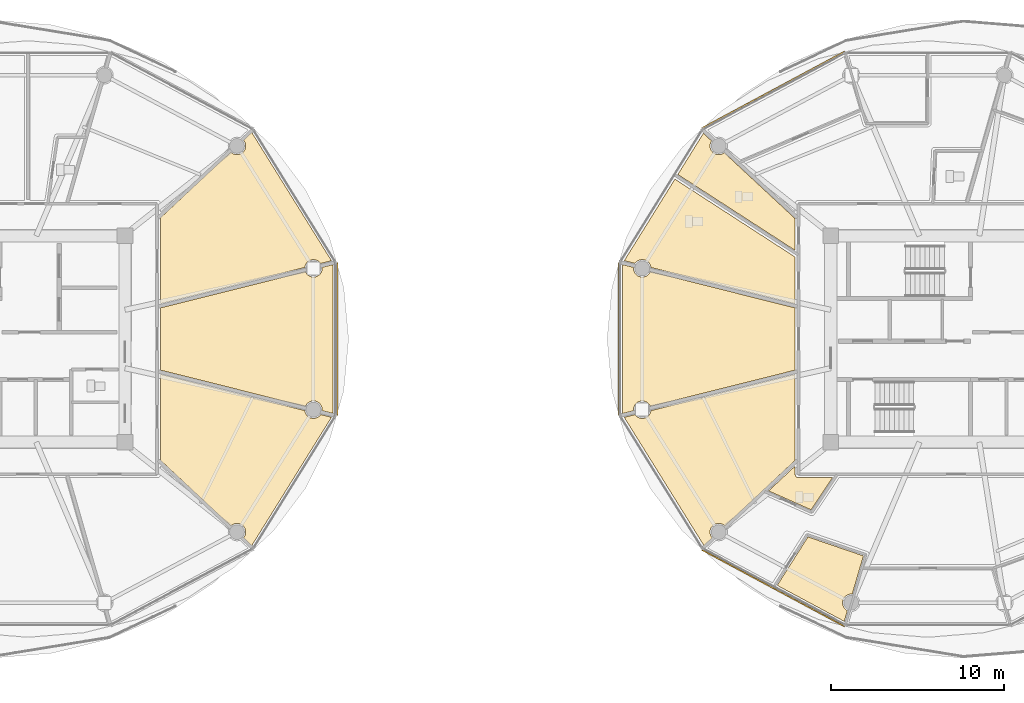
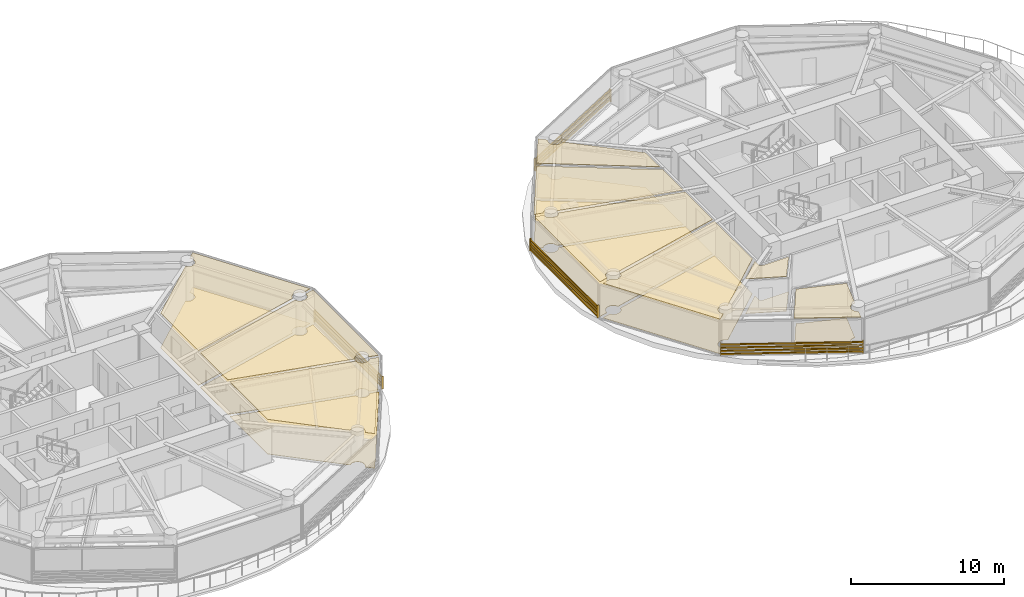
# One storey, part 25 of 32: 18 coverings, 4 shading devices.
"""IFC4 building model written with IfcOpenShell, lengths in metres."""

from ifc_helpers import new_model, si_unit, direction, frame, origin, origin_2d, place, context, subcontext, project, spatial, polyline, rectangle, outline, extrude, source, transform, mapped, material, layer, layer_set, type_object, type_shapes, element, save


model = new_model("IFC4")

# Units and contexts
model_context = context("Model", 3, precision=1e-05, world=origin(), true_north=direction((0.0, 1.0)))
body_context = subcontext(model_context, "Body", "Model", "MODEL_VIEW")
ifc_project = project(units=[si_unit("LENGTHUNIT", "METRE"), si_unit("AREAUNIT", "SQUARE_METRE"), si_unit("VOLUMEUNIT", "CUBIC_METRE"), si_unit("PLANEANGLEUNIT", "RADIAN"), si_unit("MASSUNIT", "GRAM", prefix="KILO")], contexts=[model_context])

# Site, building, storey
site_placement = place(None, origin())
site = spatial("IfcSite", under=ifc_project, at=site_placement, CompositionType="ELEMENT")
building_placement = place(site_placement, origin())
building = spatial("IfcBuilding", under=site, at=building_placement, Name="Norrkilde Senior Care Towers", CompositionType="ELEMENT")
storey_placement = place(building_placement, frame((0.0, 0.0, 77.949951171875)))
storey = spatial("IfcBuildingStorey", under=building, at=storey_placement, Name="L23", CompositionType="ELEMENT", Elevation=77.949951171875)

# Coverings
ifc_material_1 = material(Name="Nordic Ash Timber", Category="wood")
ifc_layer_1 = layer(ifc_material_1, 0.044921875)
ifc_layer_set_1 = layer_set([ifc_layer_1], Name="Nordic Ash Timber")
covering_type_1 = type_object("IfcCoveringType", Name="Acoustic Ash Timber Slatted Ceiling 45", PredefinedType="CEILING", material=ifc_layer_set_1)
covering_1_placement = place(storey_placement, frame((0.0, 0.0, 2.7451171875)))
element("IfcCovering", 1, at=covering_1_placement, inside=storey, type_object=covering_type_1, Name="L23 Suspended Ceiling 0213", PredefinedType="CEILING", context=body_context, shape_type="SweptSolid", body=[
    extrude(outline(polyline([(-13.0419921875, -11.918701171875), (-13.51953125, -11.4716796875), (-13.45654296875, -11.389404296875), (-13.406005859375, -11.267578125), (-13.388916015625, -11.136962890625), (-13.406005859375, -11.00634765625), (-13.45654296875, -10.884521484375), (-13.53662109375, -10.77978515625), (-13.641357421875, -10.69970703125), (-13.76318359375, -10.649169921875), (-13.893798828125, -10.6318359375), (-14.0244140625, -10.649169921875), (-14.146240234375, -10.69970703125), (-14.2509765625, -10.77978515625), (-14.254150390625, -10.783935546875), (-18.300048828125, -6.99658203125), (-18.300048828125, -2.04248046875), (-9.97900390625, -4.129638671875), (-9.96875, -4.20703125), (-9.918212890625, -4.328857421875), (-9.838134765625, -4.43359375), (-9.7333984375, -4.513671875), (-9.611572265625, -4.564208984375), (-9.48095703125, -4.581298828125), (-9.350341796875, -4.564208984375), (-9.228515625, -4.513671875), (-9.123779296875, -4.43359375), (-9.06640625, -4.358642578125), (-8.44140625, -4.515380859375), (-13.0419921875, -11.918701171875)])), origin(), (0.0, 0.0, 1.0), 0.044921875),
])
covering_2_placement = place(storey_placement, frame((0.0, 0.0, 2.7451171875)))
element("IfcCovering", 2, at=covering_2_placement, inside=storey, type_object=covering_type_1, Name="L23 Suspended Ceiling 0214", PredefinedType="CEILING", context=body_context, shape_type="SweptSolid", body=[
    extrude(outline(polyline([(-9.918212890625, 3.823974609375), (-9.838134765625, 3.71923828125), (-9.7333984375, 3.63916015625), (-9.611572265625, 3.588623046875), (-9.48095703125, 3.5712890625), (-9.350341796875, 3.588623046875), (-9.228515625, 3.63916015625), (-9.123779296875, 3.71923828125), (-9.043701171875, 3.823974609375), (-8.9931640625, 3.94580078125), (-8.97607421875, 4.076416015625), (-8.9833984375, 4.1318359375), (-8.35498046875, 4.28955078125), (-8.35498046875, -4.28955078125), (-8.9833984375, -4.1318359375), (-8.97607421875, -4.076416015625), (-8.9931640625, -3.94580078125), (-9.043701171875, -3.823974609375), (-9.123779296875, -3.71923828125), (-9.228515625, -3.63916015625), (-9.350341796875, -3.588623046875), (-9.48095703125, -3.5712890625), (-9.611572265625, -3.588623046875), (-9.7333984375, -3.63916015625), (-9.838134765625, -3.71923828125), (-9.918212890625, -3.823974609375), (-9.94580078125, -3.890380859375), (-18.300048828125, -1.795166015625), (-18.300048828125, 1.795166015625), (-9.94580078125, 3.890380859375), (-9.918212890625, 3.823974609375)])), origin(), (0.0, 0.0, 1.0), 0.044921875),
])
covering_3_placement = place(storey_placement, frame((0.0, 0.0, 2.7451171875)))
element("IfcCovering", 3, at=covering_3_placement, inside=storey, type_object=covering_type_1, Name="L23 Suspended Ceiling 0215", PredefinedType="CEILING", context=body_context, shape_type="SweptSolid", body=[
    extrude(outline(polyline([(-8.44140625, 4.515380859375), (-9.06640625, 4.358642578125), (-9.123779296875, 4.43359375), (-9.228515625, 4.513671875), (-9.350341796875, 4.564208984375), (-9.48095703125, 4.581298828125), (-9.611572265625, 4.564208984375), (-9.7333984375, 4.513671875), (-9.838134765625, 4.43359375), (-9.918212890625, 4.328857421875), (-9.96875, 4.20703125), (-9.97900390625, 4.129638671875), (-18.300048828125, 2.04248046875), (-18.300048828125, 6.99658203125), (-14.254150390625, 10.783935546875), (-14.2509765625, 10.77978515625), (-14.146240234375, 10.69970703125), (-14.0244140625, 10.649169921875), (-13.893798828125, 10.6318359375), (-13.76318359375, 10.649169921875), (-13.641357421875, 10.69970703125), (-13.53662109375, 10.77978515625), (-13.45654296875, 10.884521484375), (-13.406005859375, 11.00634765625), (-13.388916015625, 11.136962890625), (-13.406005859375, 11.267578125), (-13.45654296875, 11.389404296875), (-13.51953125, 11.4716796875), (-13.0419921875, 11.918701171875), (-8.44140625, 4.515380859375)])), origin(), (0.0, 0.0, 1.0), 0.044921875),
])
covering_4_placement = place(storey_placement, frame((0.0, 0.0, 2.7451171875)))
element("IfcCovering", 4, at=covering_4_placement, inside=storey, type_object=covering_type_1, Name="L23 Suspended Ceiling 0229", PredefinedType="CEILING", context=body_context, shape_type="SweptSolid", body=[
    extrude(outline(polyline([(21.5908203125, -14.71533203125), (21.537109375, -14.708251953125), (21.406494140625, -14.7255859375), (21.28466796875, -14.77587890625), (21.179931640625, -14.856201171875), (21.099853515625, -14.9609375), (21.04931640625, -15.08251953125), (21.0322265625, -15.21337890625), (21.04931640625, -15.343994140625), (21.099853515625, -15.4658203125), (21.179931640625, -15.5703125), (21.28466796875, -15.650634765625), (21.313232421875, -15.66259765625), (21.130859375, -16.284423828125), (17.26513671875, -14.210693359375), (19.038818359375, -11.412353515625), (22.23828125, -12.5068359375), (21.5908203125, -14.71533203125)])), origin(), (0.0, 0.0, 1.0), 0.044921875),
])
covering_5_placement = place(storey_placement, frame((0.0, 0.0, 2.7451171875)))
element("IfcCovering", 5, at=covering_5_placement, inside=storey, type_object=covering_type_1, Name="L23 Suspended Ceiling 0243", PredefinedType="CEILING", context=body_context, shape_type="SweptSolid", body=[
    extrude(outline(polyline([(8.97607421875, 4.076416015625), (8.9931640625, 3.94580078125), (9.043701171875, 3.823974609375), (9.123779296875, 3.71923828125), (9.228515625, 3.63916015625), (9.350341796875, 3.588623046875), (9.48095703125, 3.5712890625), (9.611572265625, 3.588623046875), (9.7333984375, 3.63916015625), (9.838134765625, 3.71923828125), (9.918212890625, 3.823974609375), (9.94580078125, 3.890380859375), (18.300048828125, 1.795166015625), (18.300048828125, -1.795166015625), (9.94580078125, -3.890380859375), (9.918212890625, -3.823974609375), (9.838134765625, -3.71923828125), (9.7333984375, -3.63916015625), (9.611572265625, -3.588623046875), (9.48095703125, -3.5712890625), (9.350341796875, -3.588623046875), (9.228515625, -3.63916015625), (9.123779296875, -3.71923828125), (9.043701171875, -3.823974609375), (8.9931640625, -3.94580078125), (8.97607421875, -4.076416015625), (8.9833984375, -4.1318359375), (8.35498046875, -4.28955078125), (8.35498046875, 4.28955078125), (8.9833984375, 4.1318359375), (8.97607421875, 4.076416015625)])), origin(), (0.0, 0.0, 1.0), 0.044921875),
])
covering_6_placement = place(storey_placement, frame((0.0, 0.0, 2.7451171875)))
element("IfcCovering", 6, at=covering_6_placement, inside=storey, type_object=covering_type_1, Name="L23 Suspended Ceiling 0244", PredefinedType="CEILING", context=body_context, shape_type="SweptSolid", body=[
    extrude(outline(polyline([(9.123779296875, -4.43359375), (9.228515625, -4.513671875), (9.350341796875, -4.564208984375), (9.48095703125, -4.581298828125), (9.611572265625, -4.564208984375), (9.7333984375, -4.513671875), (9.838134765625, -4.43359375), (9.918212890625, -4.328857421875), (9.96875, -4.20703125), (9.97900390625, -4.129638671875), (18.300048828125, -2.04248046875), (18.300048828125, -6.99658203125), (14.254150390625, -10.783935546875), (14.2509765625, -10.77978515625), (14.146240234375, -10.69970703125), (14.0244140625, -10.649169921875), (13.893798828125, -10.6318359375), (13.76318359375, -10.649169921875), (13.641357421875, -10.69970703125), (13.53662109375, -10.77978515625), (13.45654296875, -10.884521484375), (13.406005859375, -11.00634765625), (13.388916015625, -11.136962890625), (13.406005859375, -11.267578125), (13.45654296875, -11.389404296875), (13.51953125, -11.4716796875), (13.0419921875, -11.918701171875), (8.44140625, -4.515380859375), (9.06640625, -4.358642578125), (9.123779296875, -4.43359375)])), origin(), (0.0, 0.0, 1.0), 0.044921875),
])
ifc_material_2 = material(Name="Gypsum Acoustic Board")
ifc_layer_2 = layer(ifc_material_2, 0.030029296875)
ifc_layer_set_2 = layer_set([ifc_layer_2], Name="Gypsum Acoustic Board")
covering_type_2 = type_object("IfcCoveringType", Name="Medical Cleanable Gypsum Ceiling 30", PredefinedType="CEILING", material=ifc_layer_set_2)
covering_7_placement = place(storey_placement, frame((0.0, 0.0, 2.760009765625)))
element("IfcCovering", 7, at=covering_7_placement, inside=storey, type_object=covering_type_2, Name="L23 Suspended Ceiling 0228", PredefinedType="CEILING", context=body_context, shape_type="SweptSolid", body=[
    extrude(outline(polyline([(18.300537109375, -7.813720703125), (18.3017578125, -7.825439453125), (18.302734375, -7.833251953125), (18.30517578125, -7.8447265625), (18.30712890625, -7.852294921875), (18.310546875, -7.86376953125), (18.31298828125, -7.87109375), (18.317626953125, -7.8818359375), (18.321044921875, -7.888916015625), (18.326416015625, -7.8994140625), (18.33056640625, -7.90625), (18.337158203125, -7.916015625), (18.341796875, -7.92236328125), (18.34912109375, -7.931396484375), (18.3544921875, -7.937255859375), (18.36279296875, -7.945556640625), (18.36865234375, -7.95068359375), (18.377685546875, -7.958251953125), (18.384033203125, -7.962890625), (18.393798828125, -7.969482421875), (18.400634765625, -7.973388671875), (18.410888671875, -7.97900390625), (18.41796875, -7.982421875), (18.428955078125, -7.98681640625), (18.436279296875, -7.989501953125), (18.447509765625, -7.992919921875), (18.455322265625, -7.994873046875), (18.466796875, -7.9970703125), (18.474609375, -7.998291015625), (18.486328125, -7.99951171875), (18.494140625, -7.999755859375), (18.5, -8.0), (20.4560546875, -8.0), (19.219482421875, -9.849365234375), (16.766845703125, -8.760498046875), (18.300048828125, -7.325439453125), (18.300048828125, -7.800048828125), (18.300048828125, -7.805908203125), (18.300537109375, -7.813720703125)])), origin(), (0.0, 0.0, 1.0), 0.030029296875),
])
covering_8_placement = place(storey_placement, frame((0.0, 0.0, 2.760009765625)))
element("IfcCovering", 8, at=covering_8_placement, inside=storey, type_object=covering_type_2, Name="L23 Suspended Ceiling 0241", PredefinedType="CEILING", context=body_context, shape_type="SweptSolid", body=[
    extrude(outline(polyline([(13.482177734375, 11.423095703125), (13.45654296875, 11.389404296875), (13.406005859375, 11.267578125), (13.388916015625, 11.136962890625), (13.406005859375, 11.00634765625), (13.45654296875, 10.884521484375), (13.53662109375, 10.77978515625), (13.641357421875, 10.69970703125), (13.76318359375, 10.649169921875), (13.893798828125, 10.6318359375), (14.0244140625, 10.649169921875), (14.146240234375, 10.69970703125), (14.208984375, 10.74755859375), (18.300048828125, 6.94580078125), (18.300048828125, 5.111083984375), (11.532958984375, 9.490234375), (13.0078125, 11.864013671875), (13.482177734375, 11.423095703125)])), origin(), (0.0, 0.0, 1.0), 0.030029296875),
])
covering_9_placement = place(storey_placement, frame((0.0, 0.0, 2.760009765625)))
element("IfcCovering", 9, at=covering_9_placement, inside=storey, type_object=covering_type_2, Name="L23 Suspended Ceiling 0242", PredefinedType="CEILING", context=body_context, shape_type="SweptSolid", body=[
    extrude(outline(polyline([(11.364013671875, 9.218505859375), (18.300048828125, 4.72998046875), (18.300048828125, 2.04248046875), (9.97900390625, 4.129638671875), (9.96875, 4.20703125), (9.918212890625, 4.328857421875), (9.838134765625, 4.43359375), (9.7333984375, 4.513671875), (9.611572265625, 4.564208984375), (9.48095703125, 4.581298828125), (9.350341796875, 4.564208984375), (9.228515625, 4.513671875), (9.123779296875, 4.43359375), (9.06640625, 4.358642578125), (8.44140625, 4.515380859375), (11.364013671875, 9.218505859375)])), origin(), (0.0, 0.0, 1.0), 0.030029296875),
])
ifc_material_3 = material(Name="Slip-Resistant Porcelain Stone", Category="masonry")
ifc_layer_3 = layer(ifc_material_3, 0.02490234375)
ifc_layer_set_3 = layer_set([ifc_layer_3], Name="Slip-Resistant Porcelain Stone")
covering_type_3 = type_object("IfcCoveringType", Name="Slip-Resistant Porcelain Flooring 25", PredefinedType="FLOORING", material=ifc_layer_set_3)
covering_10_placement = place(storey_placement, origin())
element("IfcCovering", 10, at=covering_10_placement, inside=storey, type_object=covering_type_3, Name="L23 Floor Finish 0213", PredefinedType="FLOORING", context=body_context, shape_type="SweptSolid", body=[
    extrude(outline(polyline([(-13.0419921875, -11.918701171875), (-13.51953125, -11.4716796875), (-13.45654296875, -11.389404296875), (-13.406005859375, -11.267578125), (-13.388916015625, -11.136962890625), (-13.406005859375, -11.00634765625), (-13.45654296875, -10.884521484375), (-13.53662109375, -10.77978515625), (-13.641357421875, -10.69970703125), (-13.76318359375, -10.649169921875), (-13.893798828125, -10.6318359375), (-14.0244140625, -10.649169921875), (-14.146240234375, -10.69970703125), (-14.2509765625, -10.77978515625), (-14.254150390625, -10.783935546875), (-18.300048828125, -6.99658203125), (-18.300048828125, -2.04248046875), (-9.97900390625, -4.129638671875), (-9.96875, -4.20703125), (-9.918212890625, -4.328857421875), (-9.838134765625, -4.43359375), (-9.7333984375, -4.513671875), (-9.611572265625, -4.564208984375), (-9.48095703125, -4.581298828125), (-9.350341796875, -4.564208984375), (-9.228515625, -4.513671875), (-9.123779296875, -4.43359375), (-9.06640625, -4.358642578125), (-8.44140625, -4.515380859375), (-13.0419921875, -11.918701171875)])), origin(), (0.0, 0.0, 1.0), 0.025146484375),
])
covering_11_placement = place(storey_placement, origin())
element("IfcCovering", 11, at=covering_11_placement, inside=storey, type_object=covering_type_3, Name="L23 Floor Finish 0214", PredefinedType="FLOORING", context=body_context, shape_type="SweptSolid", body=[
    extrude(outline(polyline([(-9.918212890625, 3.823974609375), (-9.838134765625, 3.71923828125), (-9.7333984375, 3.63916015625), (-9.611572265625, 3.588623046875), (-9.48095703125, 3.5712890625), (-9.350341796875, 3.588623046875), (-9.228515625, 3.63916015625), (-9.123779296875, 3.71923828125), (-9.043701171875, 3.823974609375), (-8.9931640625, 3.94580078125), (-8.97607421875, 4.076416015625), (-8.9833984375, 4.1318359375), (-8.35498046875, 4.28955078125), (-8.35498046875, -4.28955078125), (-8.9833984375, -4.1318359375), (-8.97607421875, -4.076416015625), (-8.9931640625, -3.94580078125), (-9.043701171875, -3.823974609375), (-9.123779296875, -3.71923828125), (-9.228515625, -3.63916015625), (-9.350341796875, -3.588623046875), (-9.48095703125, -3.5712890625), (-9.611572265625, -3.588623046875), (-9.7333984375, -3.63916015625), (-9.838134765625, -3.71923828125), (-9.918212890625, -3.823974609375), (-9.94580078125, -3.890380859375), (-18.300048828125, -1.795166015625), (-18.300048828125, 1.795166015625), (-9.94580078125, 3.890380859375), (-9.918212890625, 3.823974609375)])), origin(), (0.0, 0.0, 1.0), 0.025146484375),
])
covering_12_placement = place(storey_placement, origin())
element("IfcCovering", 12, at=covering_12_placement, inside=storey, type_object=covering_type_3, Name="L23 Floor Finish 0215", PredefinedType="FLOORING", context=body_context, shape_type="SweptSolid", body=[
    extrude(outline(polyline([(-8.44140625, 4.515380859375), (-9.06640625, 4.358642578125), (-9.123779296875, 4.43359375), (-9.228515625, 4.513671875), (-9.350341796875, 4.564208984375), (-9.48095703125, 4.581298828125), (-9.611572265625, 4.564208984375), (-9.7333984375, 4.513671875), (-9.838134765625, 4.43359375), (-9.918212890625, 4.328857421875), (-9.96875, 4.20703125), (-9.97900390625, 4.129638671875), (-18.300048828125, 2.04248046875), (-18.300048828125, 6.99658203125), (-14.254150390625, 10.783935546875), (-14.2509765625, 10.77978515625), (-14.146240234375, 10.69970703125), (-14.0244140625, 10.649169921875), (-13.893798828125, 10.6318359375), (-13.76318359375, 10.649169921875), (-13.641357421875, 10.69970703125), (-13.53662109375, 10.77978515625), (-13.45654296875, 10.884521484375), (-13.406005859375, 11.00634765625), (-13.388916015625, 11.136962890625), (-13.406005859375, 11.267578125), (-13.45654296875, 11.389404296875), (-13.51953125, 11.4716796875), (-13.0419921875, 11.918701171875), (-8.44140625, 4.515380859375)])), origin(), (0.0, 0.0, 1.0), 0.025146484375),
])
covering_13_placement = place(storey_placement, origin())
element("IfcCovering", 13, at=covering_13_placement, inside=storey, type_object=covering_type_3, Name="L23 Floor Finish 0228", PredefinedType="FLOORING", context=body_context, shape_type="SweptSolid", body=[
    extrude(outline(polyline([(18.300537109375, -7.813720703125), (18.3017578125, -7.825439453125), (18.302734375, -7.833251953125), (18.30517578125, -7.8447265625), (18.30712890625, -7.852294921875), (18.310546875, -7.86376953125), (18.31298828125, -7.87109375), (18.317626953125, -7.8818359375), (18.321044921875, -7.888916015625), (18.326416015625, -7.8994140625), (18.33056640625, -7.90625), (18.337158203125, -7.916015625), (18.341796875, -7.92236328125), (18.34912109375, -7.931396484375), (18.3544921875, -7.937255859375), (18.36279296875, -7.945556640625), (18.36865234375, -7.95068359375), (18.377685546875, -7.958251953125), (18.384033203125, -7.962890625), (18.393798828125, -7.969482421875), (18.400634765625, -7.973388671875), (18.410888671875, -7.97900390625), (18.41796875, -7.982421875), (18.428955078125, -7.98681640625), (18.436279296875, -7.989501953125), (18.447509765625, -7.992919921875), (18.455322265625, -7.994873046875), (18.466796875, -7.9970703125), (18.474609375, -7.998291015625), (18.486328125, -7.99951171875), (18.494140625, -7.999755859375), (18.5, -8.0), (20.4560546875, -8.0), (19.219482421875, -9.849365234375), (16.766845703125, -8.760498046875), (18.300048828125, -7.325439453125), (18.300048828125, -7.800048828125), (18.300048828125, -7.805908203125), (18.300537109375, -7.813720703125)])), origin(), (0.0, 0.0, 1.0), 0.025146484375),
])
covering_14_placement = place(storey_placement, origin())
element("IfcCovering", 14, at=covering_14_placement, inside=storey, type_object=covering_type_3, Name="L23 Floor Finish 0229", PredefinedType="FLOORING", context=body_context, shape_type="SweptSolid", body=[
    extrude(outline(polyline([(21.5908203125, -14.71533203125), (21.537109375, -14.708251953125), (21.406494140625, -14.7255859375), (21.28466796875, -14.77587890625), (21.179931640625, -14.856201171875), (21.099853515625, -14.9609375), (21.04931640625, -15.08251953125), (21.0322265625, -15.21337890625), (21.04931640625, -15.343994140625), (21.099853515625, -15.4658203125), (21.179931640625, -15.5703125), (21.28466796875, -15.650634765625), (21.313232421875, -15.66259765625), (21.130859375, -16.284423828125), (17.26513671875, -14.210693359375), (19.038818359375, -11.412353515625), (22.23828125, -12.5068359375), (21.5908203125, -14.71533203125)])), origin(), (0.0, 0.0, 1.0), 0.025146484375),
])
covering_15_placement = place(storey_placement, origin())
element("IfcCovering", 15, at=covering_15_placement, inside=storey, type_object=covering_type_3, Name="L23 Floor Finish 0241", PredefinedType="FLOORING", context=body_context, shape_type="SweptSolid", body=[
    extrude(outline(polyline([(13.482177734375, 11.423095703125), (13.45654296875, 11.389404296875), (13.406005859375, 11.267578125), (13.388916015625, 11.136962890625), (13.406005859375, 11.00634765625), (13.45654296875, 10.884521484375), (13.53662109375, 10.77978515625), (13.641357421875, 10.69970703125), (13.76318359375, 10.649169921875), (13.893798828125, 10.6318359375), (14.0244140625, 10.649169921875), (14.146240234375, 10.69970703125), (14.208984375, 10.74755859375), (18.300048828125, 6.94580078125), (18.300048828125, 5.111083984375), (11.532958984375, 9.490234375), (13.0078125, 11.864013671875), (13.482177734375, 11.423095703125)])), origin(), (0.0, 0.0, 1.0), 0.025146484375),
])
covering_16_placement = place(storey_placement, origin())
element("IfcCovering", 16, at=covering_16_placement, inside=storey, type_object=covering_type_3, Name="L23 Floor Finish 0242", PredefinedType="FLOORING", context=body_context, shape_type="SweptSolid", body=[
    extrude(outline(polyline([(11.364013671875, 9.218505859375), (18.300048828125, 4.72998046875), (18.300048828125, 2.04248046875), (9.97900390625, 4.129638671875), (9.96875, 4.20703125), (9.918212890625, 4.328857421875), (9.838134765625, 4.43359375), (9.7333984375, 4.513671875), (9.611572265625, 4.564208984375), (9.48095703125, 4.581298828125), (9.350341796875, 4.564208984375), (9.228515625, 4.513671875), (9.123779296875, 4.43359375), (9.06640625, 4.358642578125), (8.44140625, 4.515380859375), (11.364013671875, 9.218505859375)])), origin(), (0.0, 0.0, 1.0), 0.025146484375),
])
covering_17_placement = place(storey_placement, origin())
element("IfcCovering", 17, at=covering_17_placement, inside=storey, type_object=covering_type_3, Name="L23 Floor Finish 0243", PredefinedType="FLOORING", context=body_context, shape_type="SweptSolid", body=[
    extrude(outline(polyline([(8.97607421875, 4.076416015625), (8.9931640625, 3.94580078125), (9.043701171875, 3.823974609375), (9.123779296875, 3.71923828125), (9.228515625, 3.63916015625), (9.350341796875, 3.588623046875), (9.48095703125, 3.5712890625), (9.611572265625, 3.588623046875), (9.7333984375, 3.63916015625), (9.838134765625, 3.71923828125), (9.918212890625, 3.823974609375), (9.94580078125, 3.890380859375), (18.300048828125, 1.795166015625), (18.300048828125, -1.795166015625), (9.94580078125, -3.890380859375), (9.918212890625, -3.823974609375), (9.838134765625, -3.71923828125), (9.7333984375, -3.63916015625), (9.611572265625, -3.588623046875), (9.48095703125, -3.5712890625), (9.350341796875, -3.588623046875), (9.228515625, -3.63916015625), (9.123779296875, -3.71923828125), (9.043701171875, -3.823974609375), (8.9931640625, -3.94580078125), (8.97607421875, -4.076416015625), (8.9833984375, -4.1318359375), (8.35498046875, -4.28955078125), (8.35498046875, 4.28955078125), (8.9833984375, 4.1318359375), (8.97607421875, 4.076416015625)])), origin(), (0.0, 0.0, 1.0), 0.025146484375),
])
covering_18_placement = place(storey_placement, origin())
element("IfcCovering", 18, at=covering_18_placement, inside=storey, type_object=covering_type_3, Name="L23 Floor Finish 0244", PredefinedType="FLOORING", context=body_context, shape_type="SweptSolid", body=[
    extrude(outline(polyline([(9.123779296875, -4.43359375), (9.228515625, -4.513671875), (9.350341796875, -4.564208984375), (9.48095703125, -4.581298828125), (9.611572265625, -4.564208984375), (9.7333984375, -4.513671875), (9.838134765625, -4.43359375), (9.918212890625, -4.328857421875), (9.96875, -4.20703125), (9.97900390625, -4.129638671875), (18.300048828125, -2.04248046875), (18.300048828125, -6.99658203125), (14.254150390625, -10.783935546875), (14.2509765625, -10.77978515625), (14.146240234375, -10.69970703125), (14.0244140625, -10.649169921875), (13.893798828125, -10.6318359375), (13.76318359375, -10.649169921875), (13.641357421875, -10.69970703125), (13.53662109375, -10.77978515625), (13.45654296875, -10.884521484375), (13.406005859375, -11.00634765625), (13.388916015625, -11.136962890625), (13.406005859375, -11.267578125), (13.45654296875, -11.389404296875), (13.51953125, -11.4716796875), (13.0419921875, -11.918701171875), (8.44140625, -4.515380859375), (9.06640625, -4.358642578125), (9.123779296875, -4.43359375)])), origin(), (0.0, 0.0, 1.0), 0.025146484375),
])

# Shading devices
ifc_material_4 = material(Name="Architectural Terracotta", Category="masonry")
shading_device_type = type_object("IfcShadingDeviceType", Name="Horizontal Terracotta Baguette Rack", PredefinedType="USERDEFINED", material=ifc_material_4)
shared_shape_1 = source(origin(), body_context, "Body", "SweptSolid", [
    extrude(rectangle(XDim=0.070068359375, YDim=0.110107421875, at=origin_2d()), frame((0.0, 0.090087890625, 0.125), z_axis=(1.0, 0.0, 0.0), x_axis=(0.0, 1.0, 0.0)), (0.0, 0.0, 1.0), 9.3505859375),
    extrude(rectangle(XDim=0.070068359375, YDim=0.110107421875, at=origin_2d()), frame((0.0, 0.090087890625, 0.375), z_axis=(1.0, 0.0, 0.0), x_axis=(0.0, 1.0, 0.0)), (0.0, 0.0, 1.0), 9.3505859375),
    extrude(rectangle(XDim=0.070068359375, YDim=0.110107421875, at=origin_2d()), frame((0.0, 0.090087890625, 0.625), z_axis=(1.0, 0.0, 0.0), x_axis=(0.0, 1.0, 0.0)), (0.0, 0.0, 1.0), 9.3505859375),
    extrude(rectangle(XDim=0.070068359375, YDim=0.110107421875, at=origin_2d()), frame((0.0, 0.090087890625, 0.875), z_axis=(1.0, 0.0, 0.0), x_axis=(0.0, 1.0, 0.0)), (0.0, 0.0, 1.0), 9.3505859375),
    extrude(rectangle(XDim=0.050048828125, YDim=0.1552734375, at=origin_2d()), frame((0.02490234375, 0.047607421875, 0.0)), (0.0, 0.0, 1.0), 1.0),
    extrude(rectangle(XDim=0.050048828125, YDim=0.1552734375, at=origin_2d()), frame((9.32568359375, 0.047607421875, 0.0)), (0.0, 0.0, 1.0), 1.0),
])
for number, where, z_axis, x_axis, name in (
    (19, (12.953369140625, 12.077392578125, 0.080078125), (0.0, 0.0, 1.0), (0.881174934726, 0.472767624021, 0.0), "L23 Drum E Terracotta Baguette Screen 03"),
    (20, (21.19287109375, -16.498046875, 0.080078125), (0.0, 0.0, 1.0), (-0.881174934726, 0.472767624021, 0.0), "L23 Drum E Terracotta Baguette Screen 07"),
):
    element("IfcShadingDevice", number, at=place(storey_placement, frame(where, z_axis=z_axis, x_axis=x_axis)), inside=storey, type_object=shading_device_type, Name=name, ObjectType="BAGUETTE", PredefinedType="USERDEFINED", context=body_context, shape_type="MappedRepresentation", body=[
        mapped(shared_shape_1, transform((0.0, 0.0, 0.0), x_axis=(1.0, 0.0, 0.0), y_axis=(0.0, 1.0, 0.0), z_axis=(0.0, 0.0, 1.0), scale=1.0)),
    ])
shared_shape_2 = source(origin(), body_context, "Body", "SweptSolid", [
    extrude(rectangle(XDim=0.070068359375, YDim=0.110107421875, at=origin_2d()), frame((0.0, 0.090087890625, 0.125), z_axis=(1.0, 0.0, 0.0), x_axis=(0.0, 1.0, 0.0)), (0.0, 0.0, 1.0), 8.84130859375),
    extrude(rectangle(XDim=0.070068359375, YDim=0.110107421875, at=origin_2d()), frame((0.0, 0.090087890625, 0.375), z_axis=(1.0, 0.0, 0.0), x_axis=(0.0, 1.0, 0.0)), (0.0, 0.0, 1.0), 8.84130859375),
    extrude(rectangle(XDim=0.070068359375, YDim=0.110107421875, at=origin_2d()), frame((0.0, 0.090087890625, 0.625), z_axis=(1.0, 0.0, 0.0), x_axis=(0.0, 1.0, 0.0)), (0.0, 0.0, 1.0), 8.84130859375),
    extrude(rectangle(XDim=0.070068359375, YDim=0.110107421875, at=origin_2d()), frame((0.0, 0.090087890625, 0.875), z_axis=(1.0, 0.0, 0.0), x_axis=(0.0, 1.0, 0.0)), (0.0, 0.0, 1.0), 8.84130859375),
    extrude(rectangle(XDim=0.050048828125, YDim=0.1552734375, at=origin_2d()), frame((0.02490234375, 0.047607421875, 0.0)), (0.0, 0.0, 1.0), 1.0),
    extrude(rectangle(XDim=0.050048828125, YDim=0.1552734375, at=origin_2d()), frame((8.81640625, 0.047607421875, 0.0)), (0.0, 0.0, 1.0), 1.0),
])
type_shapes(shading_device_type, [shared_shape_1, shared_shape_2])
for number, where, z_axis, x_axis, name in (
    (21, (-8.1962890625, 4.420654296875, 0.080078125), (0.0, 0.0, 1.0), (0.0, -1.0, 0.0), "L23 Drum W Terracotta Baguette Screen 11"),
    (22, (8.1962890625, -4.420654296875, 0.080078125), (0.0, 0.0, 1.0), (0.0, 1.0, 0.0), "L23 Drum E Terracotta Baguette Screen 05"),
):
    element("IfcShadingDevice", number, at=place(storey_placement, frame(where, z_axis=z_axis, x_axis=x_axis)), inside=storey, type_object=shading_device_type, Name=name, ObjectType="BAGUETTE", PredefinedType="USERDEFINED", context=body_context, shape_type="MappedRepresentation", body=[
        mapped(shared_shape_2, transform((0.0, 0.0, 0.0), x_axis=(1.0, 0.0, 0.0), y_axis=(0.0, 1.0, 0.0), z_axis=(0.0, 0.0, 1.0), scale=1.0)),
    ])

save(model, "model.ifc")
